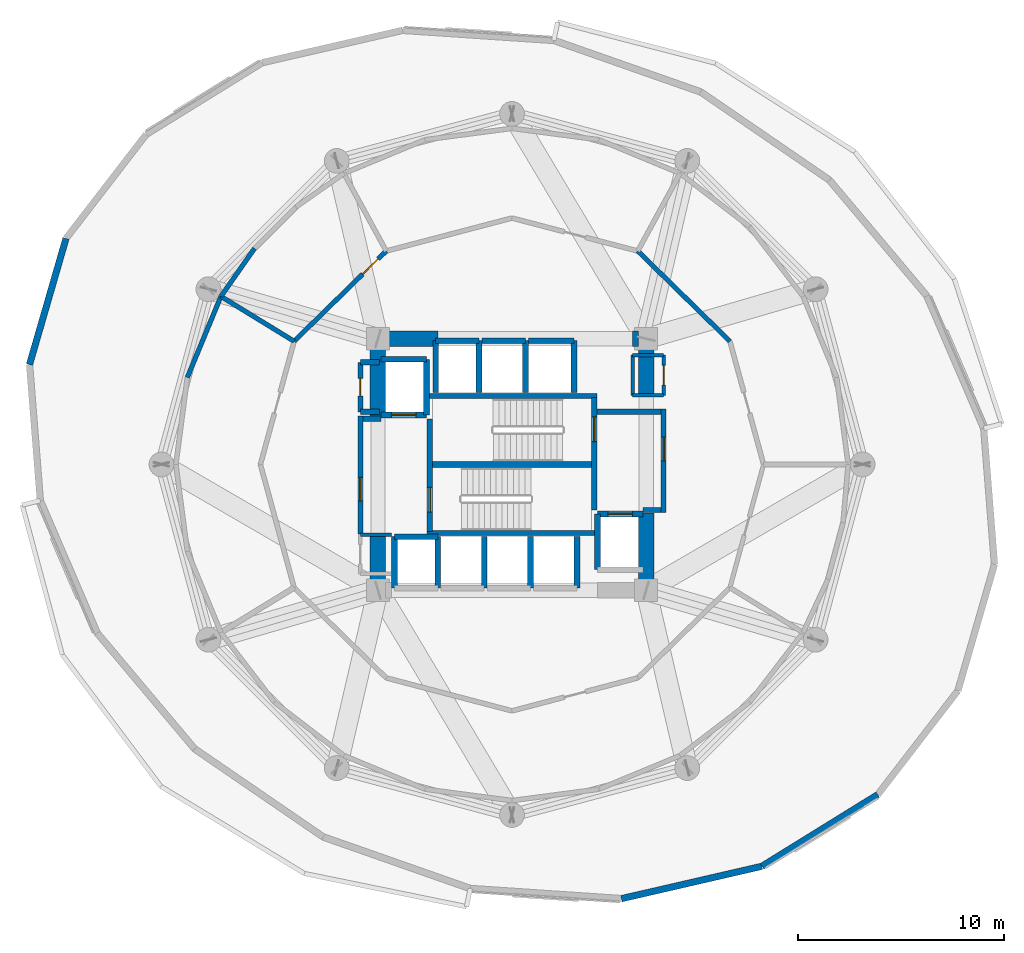
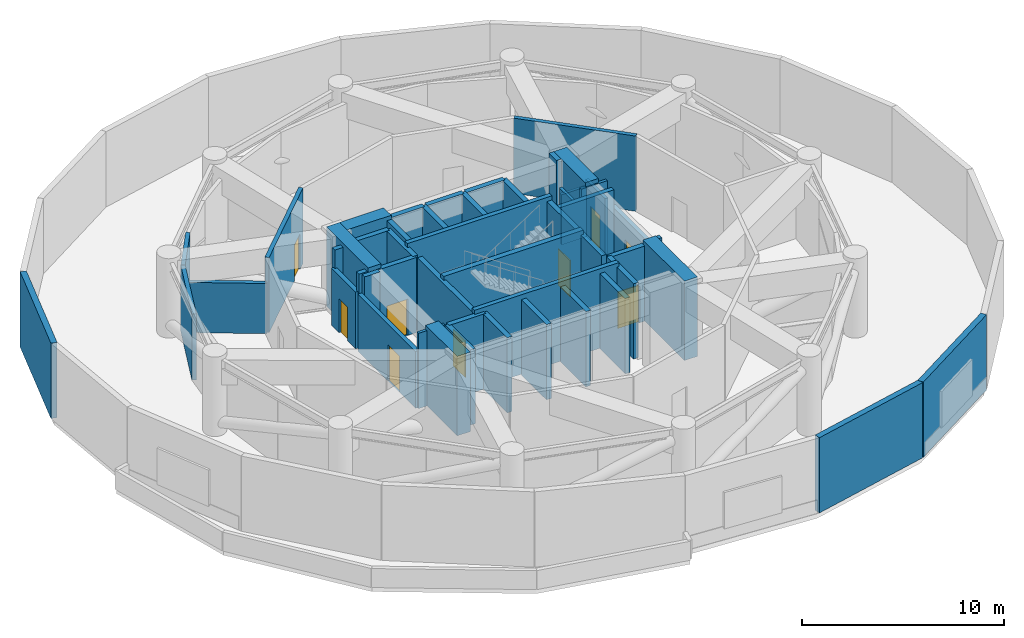
# One storey, part 3 of 6: 50 walls, 9 doors, 9 openings.
"""IFC4 building model written with IfcOpenShell, lengths in metres."""

from ifc_helpers import new_model, si_unit, direction, frame, frame_2d, origin, place, context, subcontext, project, spatial, rectangle, extrude, material, layer, layer_set, type_object, element, fill, save


model = new_model("IFC4")

# Units and contexts
model_context = context("Model", 3, precision=1e-05, world=origin(), true_north=direction((0.0, 1.0)))
body_context = subcontext(model_context, "Body", "Model", "MODEL_VIEW")
ifc_project = project(units=[si_unit("LENGTHUNIT", "METRE"), si_unit("AREAUNIT", "SQUARE_METRE"), si_unit("VOLUMEUNIT", "CUBIC_METRE"), si_unit("PLANEANGLEUNIT", "RADIAN"), si_unit("MASSUNIT", "GRAM", prefix="KILO")], contexts=[model_context])

# Site, building, storey
site_placement = place(None, origin())
site = spatial("IfcSite", under=ifc_project, at=site_placement, CompositionType="ELEMENT")
building_placement = place(site_placement, origin())
building = spatial("IfcBuilding", under=site, at=building_placement, Name="Solvirekh Grand Hotel", CompositionType="ELEMENT")
storey_placement = place(building_placement, frame((0.0, 0.0, 93.199951171875)))
storey = spatial("IfcBuildingStorey", under=building, at=storey_placement, Name="L23", CompositionType="ELEMENT", Elevation=93.199951171875)

# Walls
ifc_material_1 = material(Name="Concrete C50/60", Category="concrete")
ifc_layer_1 = layer(ifc_material_1, 0.35009765625)
ifc_layer_set_1 = layer_set([ifc_layer_1], Name="Concrete C50/60")
wall_type_1 = type_object("IfcWallType", Name="CoreDivWall_RC350", PredefinedType="SOLIDWALL", material=ifc_layer_set_1)
for number, where, z_axis, x_axis, name in (
    (1, (-4.1298828125, -3.324951171875, 0.0), (0.0, 0.0, 1.0), (1.0, 0.0, 0.0), "L23 core stair box wall ST-S"),
    (2, (-4.1298828125, 3.324951171875, 0.0), (0.0, 0.0, 1.0), (1.0, 0.0, 0.0), "L23 core stair box wall ST-N"),
):
    element("IfcWall", number, at=place(storey_placement, frame(where, z_axis=z_axis, x_axis=x_axis)), inside=storey, type_object=wall_type_1, Name=name, PredefinedType="SOLIDWALL", context=body_context, shape_type="SweptSolid", body=[
        extrude(rectangle(XDim=8.259765625, YDim=0.25, at=frame_2d((4.1298828125, 0.0))), origin(), (0.0, 0.0, 1.0), 4.800048828125),
    ])
ifc_material_2 = material(Name="Concrete C40/50", Category="concrete")
ifc_layer_2 = layer(ifc_material_2, 0.280029296875)
ifc_layer_set_2 = layer_set([ifc_layer_2], Name="Concrete C40/50")
wall_type_2 = type_object("IfcWallType", Name="CoreShaftWall_RC280", PredefinedType="SOLIDWALL", material=ifc_layer_set_2)
wall_1_placement = place(storey_placement, frame((-3.60009765625, -3.5, 0.0), z_axis=(0.0, 0.0, 1.0), x_axis=(-1.0, 0.0, 0.0)))
element("IfcWall", 3, at=wall_1_placement, inside=storey, type_object=wall_type_2, Name="L23 LP-1 hoistway N wall", PredefinedType="SOLIDWALL", context=body_context, shape_type="SweptSolid", body=[
    extrude(rectangle(XDim=2.099853515625, YDim=0.280029296875, at=frame_2d((1.0498046875, 0.0))), origin(), (0.0, 0.0, 1.0), 4.550048828125),
])
for number, where, z_axis, x_axis, name in (
    (4, (-5.699951171875, -3.5, 0.0), (0.0, 0.0, 1.0), (0.0, -1.0, 0.0), "L23 LP-1 hoistway W wall"),
    (5, (-3.60009765625, -6.0, 0.0), (0.0, 0.0, 1.0), (0.0, 1.0, 0.0), "L23 LP-1 hoistway E wall"),
    (6, (-1.35009765625, -6.0, 0.0), (0.0, 0.0, 1.0), (0.0, 1.0, 0.0), "L23 LP-2 hoistway E wall"),
    (7, (0.89990234375, -6.0, 0.0), (0.0, 0.0, 1.0), (0.0, 1.0, 0.0), "L23 MP-1 hoistway E wall"),
    (8, (3.14990234375, -6.0, 0.0), (0.0, 0.0, 1.0), (0.0, 1.0, 0.0), "L23 MP-2 hoistway E wall"),
):
    element("IfcWall", number, at=place(storey_placement, frame(where, z_axis=z_axis, x_axis=x_axis)), inside=storey, type_object=wall_type_2, Name=name, PredefinedType="SOLIDWALL", context=body_context, shape_type="SweptSolid", body=[
        extrude(rectangle(XDim=2.5, YDim=0.280029296875, at=frame_2d((1.25, 0.0))), origin(), (0.0, 0.0, 1.0), 4.550048828125),
    ])
wall_2_placement = place(storey_placement, frame((-1.60009765625, 6.0, 0.0), z_axis=(0.0, 0.0, 1.0), x_axis=(-1.0, 0.0, 0.0)))
element("IfcWall", 9, at=wall_2_placement, inside=storey, type_object=wall_type_2, Name="L23 HP-1 hoistway N wall", PredefinedType="SOLIDWALL", context=body_context, shape_type="SweptSolid", body=[
    extrude(rectangle(XDim=2.099853515625, YDim=0.280029296875, at=frame_2d((1.0498046875, 0.0))), origin(), (0.0, 0.0, 1.0), 4.550048828125),
])
for number, where, z_axis, x_axis, name in (
    (10, (-3.699951171875, 6.0, 0.0), (0.0, 0.0, 1.0), (0.0, -1.0, 0.0), "L23 HP-1 hoistway W wall"),
    (11, (-1.60009765625, 3.5, 0.0), (0.0, 0.0, 1.0), (0.0, 1.0, 0.0), "L23 HP-1 hoistway E wall"),
):
    element("IfcWall", number, at=place(storey_placement, frame(where, z_axis=z_axis, x_axis=x_axis)), inside=storey, type_object=wall_type_2, Name=name, PredefinedType="SOLIDWALL", context=body_context, shape_type="SweptSolid", body=[
        extrude(rectangle(XDim=2.5, YDim=0.280029296875, at=frame_2d((1.25, 0.0))), origin(), (0.0, 0.0, 1.0), 4.550048828125),
    ])
wall_3_placement = place(storey_placement, frame((0.64990234375, 6.0, 0.0), z_axis=(0.0, 0.0, 1.0), x_axis=(-1.0, 0.0, 0.0)))
element("IfcWall", 12, at=wall_3_placement, inside=storey, type_object=wall_type_2, Name="L23 HP-2 hoistway N wall", PredefinedType="SOLIDWALL", context=body_context, shape_type="SweptSolid", body=[
    extrude(rectangle(XDim=2.099853515625, YDim=0.280029296875, at=frame_2d((1.0498046875, 0.0))), origin(), (0.0, 0.0, 1.0), 4.550048828125),
])
wall_4_placement = place(storey_placement, frame((0.64990234375, 3.5, 0.0), z_axis=(0.0, 0.0, 1.0), x_axis=(0.0, 1.0, 0.0)))
element("IfcWall", 13, at=wall_4_placement, inside=storey, type_object=wall_type_2, Name="L23 HP-2 hoistway E wall", PredefinedType="SOLIDWALL", context=body_context, shape_type="SweptSolid", body=[
    extrude(rectangle(XDim=2.5, YDim=0.280029296875, at=frame_2d((1.25, 0.0))), origin(), (0.0, 0.0, 1.0), 4.550048828125),
])
wall_5_placement = place(storey_placement, frame((3.0, 6.0, 0.0), z_axis=(0.0, 0.0, 1.0), x_axis=(-1.0, 0.0, 0.0)))
element("IfcWall", 14, at=wall_5_placement, inside=storey, type_object=wall_type_2, Name="L23 EX-1 hoistway N wall", PredefinedType="SOLIDWALL", context=body_context, shape_type="SweptSolid", body=[
    extrude(rectangle(XDim=2.199951171875, YDim=0.280029296875, at=frame_2d((1.10009765625, 0.0))), origin(), (0.0, 0.0, 1.0), 4.550048828125),
])
wall_6_placement = place(storey_placement, frame((3.0, 3.5, 0.0), z_axis=(0.0, 0.0, 1.0), x_axis=(0.0, 1.0, 0.0)))
element("IfcWall", 15, at=wall_6_placement, inside=storey, type_object=wall_type_2, Name="L23 EX-1 hoistway E wall", PredefinedType="SOLIDWALL", context=body_context, shape_type="SweptSolid", body=[
    extrude(rectangle(XDim=2.5, YDim=0.280029296875, at=frame_2d((1.25, 0.0))), origin(), (0.0, 0.0, 1.0), 4.550048828125),
])

# Wall, opening, door
wall_7_placement = place(storey_placement, frame((-6.35009765625, 2.39990234375, 0.0), z_axis=(0.0, 0.0, 1.0), x_axis=(1.0, 0.0, 0.0)))
wall_7 = element("IfcWall", 16, at=wall_7_placement, inside=storey, type_object=wall_type_2, Name="L23 FL-1 hoistway S wall", PredefinedType="SOLIDWALL", context=body_context, shape_type="SweptSolid", body=[
    extrude(rectangle(XDim=2.2001953125, YDim=0.280029296875, at=frame_2d((1.10009765625, 0.0))), origin(), (0.0, 0.0, 1.0), 4.550048828125),
])
opening_1_placement = place(wall_7_placement, frame((0.5, 0.0, 0.0)))
opening_1 = element("IfcOpeningElement", 17, at=opening_1_placement, cuts=wall_7, Name="Opening LD02", PredefinedType="OPENING", context=body_context, shape_type="SweptSolid", body=[
    extrude(rectangle(XDim=1.199951171875, YDim=2.199951171875, at=frame_2d((0.60009765625, 1.10009765625))), frame((0.0, 0.14990234375, 0.0), z_axis=(0.0, -1.0, 0.0), x_axis=(1.0, 0.0, 0.0)), (0.0, 0.0, 1.0), 0.300048828125),
])
ifc_material_3 = material(Name="Fire-Rated Steel Door Assembly", Category="steel")
door_type_1 = type_object("IfcDoorType", Name="Door_LiftFF_1200X2200", OperationType="SLIDING_TO_LEFT", PredefinedType="DOOR", material=ifc_material_3)
door_1_placement = place(opening_1_placement, origin())
door_1 = element("IfcDoor", 18, at=door_1_placement, inside=storey, type_object=door_type_1, Name="L23 FL-1 sliding lift landing door", OperationType="SLIDING_TO_LEFT", OverallHeight=2.199951171875, OverallWidth=1.199951171875, PredefinedType="DOOR", context=body_context, shape_type="SweptSolid", body=[
    extrude(rectangle(XDim=1.199951171875, YDim=2.199951171875, at=frame_2d((0.60009765625, 1.10009765625))), frame((0.0, 0.02490234375, 0.0), z_axis=(0.0, -1.0, 0.0), x_axis=(1.0, 0.0, 0.0)), (0.0, 0.0, 1.0), 0.050048828125),
])
fill(opening_1, door_1)

# Walls
wall_8_placement = place(storey_placement, frame((-4.14990234375, 5.10009765625, 0.0), z_axis=(0.0, 0.0, 1.0), x_axis=(-1.0, 0.0, 0.0)))
element("IfcWall", 19, at=wall_8_placement, inside=storey, type_object=wall_type_2, Name="L23 FL-1 hoistway N wall", PredefinedType="SOLIDWALL", context=body_context, shape_type="SweptSolid", body=[
    extrude(rectangle(XDim=2.2001953125, YDim=0.280029296875, at=frame_2d((1.10009765625, 0.0))), origin(), (0.0, 0.0, 1.0), 4.550048828125),
])
wall_9_placement = place(storey_placement, frame((-4.14990234375, 2.39990234375, 0.0), z_axis=(0.0, 0.0, 1.0), x_axis=(0.0, 1.0, 0.0)))
element("IfcWall", 20, at=wall_9_placement, inside=storey, type_object=wall_type_2, Name="L23 FL-1 hoistway E wall", PredefinedType="SOLIDWALL", context=body_context, shape_type="SweptSolid", body=[
    extrude(rectangle(XDim=2.7001953125, YDim=0.280029296875, at=frame_2d((1.35009765625, 0.0))), origin(), (0.0, 0.0, 1.0), 4.550048828125),
])

# Wall, opening, door
wall_10_placement = place(storey_placement, frame((6.35009765625, -2.39990234375, 0.0), z_axis=(0.0, 0.0, 1.0), x_axis=(-1.0, 0.0, 0.0)))
wall_10 = element("IfcWall", 21, at=wall_10_placement, inside=storey, type_object=wall_type_2, Name="L23 FL-2 hoistway N wall", PredefinedType="SOLIDWALL", context=body_context, shape_type="SweptSolid", body=[
    extrude(rectangle(XDim=2.2001953125, YDim=0.280029296875, at=frame_2d((1.10009765625, 0.0))), origin(), (0.0, 0.0, 1.0), 4.550048828125),
])
opening_2_placement = place(wall_10_placement, frame((0.5, 0.0, 0.0)))
opening_2 = element("IfcOpeningElement", 22, at=opening_2_placement, cuts=wall_10, Name="Opening LD02", PredefinedType="OPENING", context=body_context, shape_type="SweptSolid", body=[
    extrude(rectangle(XDim=1.199951171875, YDim=2.199951171875, at=frame_2d((0.60009765625, 1.10009765625))), frame((0.0, 0.14990234375, 0.0), z_axis=(0.0, -1.0, 0.0), x_axis=(1.0, 0.0, 0.0)), (0.0, 0.0, 1.0), 0.300048828125),
])
door_2_placement = place(opening_2_placement, origin())
door_2 = element("IfcDoor", 23, at=door_2_placement, inside=storey, type_object=door_type_1, Name="L23 FL-2 sliding lift landing door", OperationType="SLIDING_TO_LEFT", OverallHeight=2.199951171875, OverallWidth=1.199951171875, PredefinedType="DOOR", context=body_context, shape_type="SweptSolid", body=[
    extrude(rectangle(XDim=1.199951171875, YDim=2.199951171875, at=frame_2d((0.60009765625, 1.10009765625))), frame((0.0, 0.02490234375, 0.0), z_axis=(0.0, -1.0, 0.0), x_axis=(1.0, 0.0, 0.0)), (0.0, 0.0, 1.0), 0.050048828125),
])
fill(opening_2, door_2)

# Wall
wall_11_placement = place(storey_placement, frame((4.14990234375, -2.39990234375, 0.0), z_axis=(0.0, 0.0, 1.0), x_axis=(0.0, -1.0, 0.0)))
element("IfcWall", 24, at=wall_11_placement, inside=storey, type_object=wall_type_2, Name="L23 FL-2 hoistway W wall", PredefinedType="SOLIDWALL", context=body_context, shape_type="SweptSolid", body=[
    extrude(rectangle(XDim=2.7001953125, YDim=0.280029296875, at=frame_2d((1.35009765625, 0.0))), origin(), (0.0, 0.0, 1.0), 4.550048828125),
])

# Wall, opening, door
wall_12_placement = place(storey_placement, frame((-3.989990234375, -3.25, 0.0), z_axis=(0.0, 0.0, 1.0), x_axis=(0.0, 1.0, 0.0)))
wall_12 = element("IfcWall", 25, at=wall_12_placement, inside=storey, type_object=wall_type_2, Name="L23 west stair landing enclosure wall", PredefinedType="SOLIDWALL", context=body_context, shape_type="SweptSolid", body=[
    extrude(rectangle(XDim=5.4599609375, YDim=0.280029296875, at=frame_2d((2.72998046875, 0.0))), origin(), (0.0, 0.0, 1.0), 4.550048828125),
])
opening_3_placement = place(wall_12_placement, frame((0.93701171875, 0.0, 0.0)))
opening_3 = element("IfcOpeningElement", 26, at=opening_3_placement, cuts=wall_12, Name="Opening D05", PredefinedType="OPENING", context=body_context, shape_type="SweptSolid", body=[
    extrude(rectangle(XDim=1.199951171875, YDim=2.199951171875, at=frame_2d((0.60009765625, 1.10009765625))), frame((0.0, 0.14990234375, 0.0), z_axis=(0.0, -1.0, 0.0), x_axis=(1.0, 0.0, 0.0)), (0.0, 0.0, 1.0), 0.300048828125),
])
door_type_2 = type_object("IfcDoorType", Name="Door_StairCore_1200X2200", OperationType="NOTDEFINED", PredefinedType="DOOR", material=ifc_material_3)
door_3_placement = place(opening_3_placement, origin())
door_3 = element("IfcDoor", 27, at=door_3_placement, inside=storey, type_object=door_type_2, Name="L23 exit stair ST-1 fire door", OperationType="SINGLE_SWING_RIGHT", OverallHeight=2.199951171875, OverallWidth=1.199951171875, PredefinedType="DOOR", context=body_context, shape_type="SweptSolid", body=[
    extrude(rectangle(XDim=1.199951171875, YDim=2.199951171875, at=frame_2d((0.60009765625, 1.10009765625))), frame((0.0, 0.02490234375, 0.0), z_axis=(0.0, -1.0, 0.0), x_axis=(1.0, 0.0, 0.0)), (0.0, 0.0, 1.0), 0.050048828125),
])
fill(opening_3, door_3)

wall_13_placement = place(storey_placement, frame((3.989990234375, -2.2099609375, 0.0), z_axis=(0.0, 0.0, 1.0), x_axis=(0.0, 1.0, 0.0)))
wall_13 = element("IfcWall", 28, at=wall_13_placement, inside=storey, type_object=wall_type_2, Name="L23 east stair landing enclosure wall", PredefinedType="SOLIDWALL", context=body_context, shape_type="SweptSolid", body=[
    extrude(rectangle(XDim=5.4599609375, YDim=0.280029296875, at=frame_2d((2.72998046875, 0.0))), origin(), (0.0, 0.0, 1.0), 4.550048828125),
])
opening_4_placement = place(wall_13_placement, frame((3.322998046875, 0.0, 0.0)))
opening_4 = element("IfcOpeningElement", 29, at=opening_4_placement, cuts=wall_13, Name="Opening D05", PredefinedType="OPENING", context=body_context, shape_type="SweptSolid", body=[
    extrude(rectangle(XDim=1.199951171875, YDim=2.199951171875, at=frame_2d((0.60009765625, 1.10009765625))), frame((0.0, 0.14990234375, 0.0), z_axis=(0.0, -1.0, 0.0), x_axis=(1.0, 0.0, 0.0)), (0.0, 0.0, 1.0), 0.300048828125),
])
door_4_placement = place(opening_4_placement, origin())
door_4 = element("IfcDoor", 30, at=door_4_placement, inside=storey, type_object=door_type_2, Name="L23 exit stair ST-2 fire door", OperationType="SINGLE_SWING_LEFT", OverallHeight=2.199951171875, OverallWidth=1.199951171875, PredefinedType="DOOR", context=body_context, shape_type="SweptSolid", body=[
    extrude(rectangle(XDim=1.199951171875, YDim=2.199951171875, at=frame_2d((0.60009765625, 1.10009765625))), frame((0.0, 0.02490234375, 0.0), z_axis=(0.0, -1.0, 0.0), x_axis=(1.0, 0.0, 0.0)), (0.0, 0.0, 1.0), 0.050048828125),
])
fill(opening_4, door_4)

# Walls
ifc_material_4 = material(Name="Concrete C60/75", Category="concrete")
ifc_layer_3 = layer(ifc_material_4, 0.75)
ifc_layer_set_3 = layer_set([ifc_layer_3], Name="Concrete C60/75")
wall_type_3 = type_object("IfcWallType", Name="CoreWall_RC750", PredefinedType="SHEAR", material=ifc_layer_set_3)
wall_14_placement = place(storey_placement, frame((-3.989990234375, 0.0, 0.0), z_axis=(0.0, 0.0, 1.0), x_axis=(1.0, 0.0, 0.0)))
element("IfcWall", 31, at=wall_14_placement, inside=storey, type_object=wall_type_3, Name="L23 central stair-spine shear wall", PredefinedType="SHEAR", context=body_context, shape_type="SweptSolid", body=[
    extrude(rectangle(XDim=7.97998046875, YDim=0.300048828125, at=frame_2d((3.989990234375, 0.0))), origin(), (0.0, 0.0, 1.0), 4.800048828125),
])
wall_15_placement = place(storey_placement, frame((-6.125, 6.10009765625, 0.0), z_axis=(0.0, 0.0, 1.0), x_axis=(1.0, 0.0, 0.0)))
element("IfcWall", 32, at=wall_15_placement, inside=storey, type_object=wall_type_3, Name="L23 core corner shear wall NW-N", PredefinedType="SHEAR", context=body_context, shape_type="SweptSolid", body=[
    extrude(rectangle(XDim=2.52490234375, YDim=0.75, at=frame_2d((1.262451171875, 0.0))), origin(), (0.0, 0.0, 1.0), 4.800048828125),
])
wall_16_placement = place(storey_placement, frame((5.85009765625, 6.10009765625, 0.0), z_axis=(0.0, 0.0, 1.0), x_axis=(1.0, 0.0, 0.0)))
element("IfcWall", 33, at=wall_16_placement, inside=storey, type_object=wall_type_3, Name="L23 core corner shear wall NE-N", PredefinedType="SHEAR", context=body_context, shape_type="SweptSolid", body=[
    extrude(rectangle(XDim=0.27490234375, YDim=0.75, at=frame_2d((0.137451171875, 0.0))), origin(), (0.0, 0.0, 1.0), 4.800048828125),
])
wall_17_placement = place(storey_placement, frame((-6.5, 2.35009765625, 0.0), z_axis=(0.0, 0.0, 1.0), x_axis=(0.0, 1.0, 0.0)))
element("IfcWall", 34, at=wall_17_placement, inside=storey, type_object=wall_type_3, Name="L23 core corner shear wall WN-W", PredefinedType="SHEAR", context=body_context, shape_type="SweptSolid", body=[
    extrude(rectangle(XDim=4.125, YDim=0.75, at=frame_2d((2.0625, 0.0))), origin(), (0.0, 0.0, 1.0), 4.800048828125),
])
wall_18_placement = place(storey_placement, frame((-6.5, -6.47509765625, 0.0), z_axis=(0.0, 0.0, 1.0), x_axis=(0.0, 1.0, 0.0)))
element("IfcWall", 35, at=wall_18_placement, inside=storey, type_object=wall_type_3, Name="L23 core corner shear wall WS-W", PredefinedType="SHEAR", context=body_context, shape_type="SweptSolid", body=[
    extrude(rectangle(XDim=3.125, YDim=0.75, at=frame_2d((1.5625, 0.0))), origin(), (0.0, 0.0, 1.0), 4.800048828125),
])
wall_19_placement = place(storey_placement, frame((6.5, -6.47509765625, 0.0), z_axis=(0.0, 0.0, 1.0), x_axis=(0.0, 1.0, 0.0)))
element("IfcWall", 36, at=wall_19_placement, inside=storey, type_object=wall_type_3, Name="L23 core corner shear wall ES-E", PredefinedType="SHEAR", context=body_context, shape_type="SweptSolid", body=[
    extrude(rectangle(XDim=4.125, YDim=0.75, at=frame_2d((2.0625, 0.0))), origin(), (0.0, 0.0, 1.0), 4.800048828125),
])
wall_20_placement = place(storey_placement, frame((6.5, 3.35009765625, 0.0), z_axis=(0.0, 0.0, 1.0), x_axis=(0.0, 1.0, 0.0)))
element("IfcWall", 37, at=wall_20_placement, inside=storey, type_object=wall_type_3, Name="L23 core corner shear wall EN-E", PredefinedType="SHEAR", context=body_context, shape_type="SweptSolid", body=[
    extrude(rectangle(XDim=3.125, YDim=0.75, at=frame_2d((1.5625, 0.0))), origin(), (0.0, 0.0, 1.0), 4.800048828125),
])
ifc_material_5 = material(Name="Precast concrete C45/55", Category="concrete")
ifc_layer_4 = layer(ifc_material_5, 0.320068359375)
ifc_layer_set_4 = layer_set([ifc_layer_4], Name="Precast concrete C45/55")
wall_type_4 = type_object("IfcWallType", Name="ExtLobbyWall_RC320", PredefinedType="SOLIDWALL", material=ifc_layer_set_4)
wall_21_placement = place(storey_placement, frame((-23.39990234375, 4.845947265625, 0.0), z_axis=(0.0, 0.0, 1.0), x_axis=(0.277909152838, 0.960607361396, 0.0)))
element("IfcWall", 38, at=wall_21_placement, inside=storey, type_object=wall_type_4, Name="L23 exterior structural wall chord 11", PredefinedType="SOLIDWALL", context=body_context, shape_type="SweptSolid", body=[
    extrude(rectangle(XDim=6.369140625, YDim=0.320068359375, at=frame_2d((3.1845703125, 0.0))), origin(), (0.0, 0.0, 1.0), 4.550048828125),
])
wall_22_placement = place(storey_placement, frame((12.117919921875, -19.487060546875, 0.0), z_axis=(0.0, 0.0, 1.0), x_axis=(-0.974452383639, -0.224594194093, 0.0)))
element("IfcWall", 39, at=wall_22_placement, inside=storey, type_object=wall_type_4, Name="L23 exterior structural wall chord 18", PredefinedType="SOLIDWALL", context=body_context, shape_type="SweptSolid", body=[
    extrude(rectangle(XDim=6.989501953125, YDim=0.320068359375, at=frame_2d((3.49462890625, 0.0))), origin(), (0.0, 0.0, 1.0), 4.550048828125),
])
wall_23_placement = place(storey_placement, frame((17.741943359375, -16.009033203125, 0.0), z_axis=(0.0, 0.0, 1.0), x_axis=(-0.850502683373, -0.525970707906, 0.0)))
element("IfcWall", 40, at=wall_23_placement, inside=storey, type_object=wall_type_4, Name="L23 exterior structural wall chord 19", PredefinedType="SOLIDWALL", context=body_context, shape_type="SweptSolid", body=[
    extrude(rectangle(XDim=6.612548828125, YDim=0.320068359375, at=frame_2d((3.30615234375, 0.0))), origin(), (0.0, 0.0, 1.0), 4.550048828125),
])
ifc_material_6 = material(Name="Acoustic Gypsum Partition Assembly")
ifc_layer_5 = layer(ifc_material_6, 0.1650390625)
ifc_layer_set_5 = layer_set([ifc_layer_5], Name="Acoustic Gypsum Partition Assembly")
wall_type_5 = type_object("IfcWallType", Name="Part_BOH_165", PredefinedType="PARTITIONING", material=ifc_layer_set_5)
for number, where, z_axis, x_axis, name in (
    (41, (-5.85009765625, -3.39990234375, 0.0), (0.0, 0.0, 1.0), (-1.0, 0.0, 0.0), "L23 L23 Butler Service Closet wall 3"),
    (42, (5.85009765625, 3.35009765625, 0.0), (0.0, 0.0, 1.0), (1.0, 0.0, 0.0), "L23 L23 Core Housekeeping Room wall 1"),
):
    element("IfcWall", number, at=place(storey_placement, frame(where, z_axis=z_axis, x_axis=x_axis)), inside=storey, type_object=wall_type_5, Name=name, PredefinedType="PARTITIONING", context=body_context, shape_type="SweptSolid", body=[
        extrude(rectangle(XDim=1.5, YDim=0.1650390625, at=frame_2d((0.75, 0.0))), origin(), (0.0, 0.0, 1.0), 4.550048828125),
    ])

# Wall, opening, door
wall_24_placement = place(storey_placement, frame((7.35009765625, 3.35009765625, 0.0), z_axis=(0.0, 0.0, 1.0), x_axis=(0.0, 1.0, 0.0)))
wall_24 = element("IfcWall", 43, at=wall_24_placement, inside=storey, type_object=wall_type_5, Name="L23 L23 Core Housekeeping Room wall 2", PredefinedType="PARTITIONING", context=body_context, shape_type="SweptSolid", body=[
    extrude(rectangle(XDim=1.949951171875, YDim=0.1650390625, at=frame_2d((0.97509765625, 0.0))), origin(), (0.0, 0.0, 1.0), 3.43505859375),
])
opening_5_placement = place(wall_24_placement, frame((0.5, 0.0, 0.0)))
opening_5 = element("IfcOpeningElement", 44, at=opening_5_placement, cuts=wall_24, Name="Opening D10", PredefinedType="OPENING", context=body_context, shape_type="SweptSolid", body=[
    extrude(rectangle(XDim=0.949951171875, YDim=2.10009765625, at=frame_2d((0.47509765625, 1.050048828125))), frame((0.0, 0.092529296875, 0.0), z_axis=(0.0, -1.0, 0.0), x_axis=(1.0, 0.0, 0.0)), (0.0, 0.0, 1.0), 0.18505859375),
])
ifc_material_7 = material(Name="Anodized Bronze Aluminium 6063-T6", Category="aluminium")
door_type_3 = type_object("IfcDoorType", Name="Door_RoomInt_950X2100", OperationType="NOTDEFINED", PredefinedType="DOOR", material=ifc_material_7)
door_5_placement = place(opening_5_placement, origin())
door_5 = element("IfcDoor", 45, at=door_5_placement, inside=storey, type_object=door_type_3, Name="L23 L23 Core Housekeeping Room door", OperationType="SINGLE_SWING_RIGHT", OverallHeight=2.10009765625, OverallWidth=0.949951171875, PredefinedType="DOOR", context=body_context, shape_type="SweptSolid", body=[
    extrude(rectangle(XDim=0.949951171875, YDim=2.10009765625, at=frame_2d((0.47509765625, 1.050048828125))), frame((0.0, 0.02490234375, 0.0), z_axis=(0.0, -1.0, 0.0), x_axis=(1.0, 0.0, 0.0)), (0.0, 0.0, 1.0), 0.050048828125),
])
fill(opening_5, door_5)

# Walls
wall_25_placement = place(storey_placement, frame((7.35009765625, 5.300048828125, 0.0), z_axis=(0.0, 0.0, 1.0), x_axis=(-1.0, 0.0, 0.0)))
element("IfcWall", 46, at=wall_25_placement, inside=storey, type_object=wall_type_5, Name="L23 L23 Core Housekeeping Room wall 3", PredefinedType="PARTITIONING", context=body_context, shape_type="SweptSolid", body=[
    extrude(rectangle(XDim=1.5, YDim=0.1650390625, at=frame_2d((0.75, 0.0))), origin(), (0.0, 0.0, 1.0), 3.03515625),
])
wall_26_placement = place(storey_placement, frame((5.85009765625, 5.300048828125, 0.0), z_axis=(0.0, 0.0, 1.0), x_axis=(0.0, -1.0, 0.0)))
element("IfcWall", 47, at=wall_26_placement, inside=storey, type_object=wall_type_5, Name="L23 L23 Core Housekeeping Room wall 4", PredefinedType="PARTITIONING", context=body_context, shape_type="SweptSolid", body=[
    extrude(rectangle(XDim=1.949951171875, YDim=0.1650390625, at=frame_2d((0.97509765625, 0.0))), origin(), (0.0, 0.0, 1.0), 3.43505859375),
])

# Wall, opening, door
ifc_layer_6 = layer(ifc_material_6, 0.239990234375)
ifc_layer_set_6 = layer_set([ifc_layer_6], Name="Acoustic Gypsum Partition Assembly")
wall_type_6 = type_object("IfcWallType", Name="Part_Corridor_240", PredefinedType="PARTITIONING", material=ifc_layer_set_6)
wall_27_placement = place(storey_placement, frame((-7.35009765625, -3.3798828125, 0.0), z_axis=(0.0, 0.0, 1.0), x_axis=(0.0, 1.0, 0.0)))
wall_27 = element("IfcWall", 48, at=wall_27_placement, inside=storey, type_object=wall_type_6, Name="L23 west firefighting lobby smoke screen wall", PredefinedType="PARTITIONING", context=body_context, shape_type="SweptSolid", body=[
    extrude(rectangle(XDim=5.719970703125, YDim=0.239990234375, at=frame_2d((2.85986328125, 0.0))), origin(), (0.0, 0.0, 1.0), 3.43505859375),
])
opening_6_placement = place(wall_27_placement, frame((1.59912109375, 0.0, 0.0)))
opening_6 = element("IfcOpeningElement", 49, at=opening_6_placement, cuts=wall_27, Name="Opening D06", PredefinedType="OPENING", context=body_context, shape_type="SweptSolid", body=[
    extrude(rectangle(XDim=1.14990234375, YDim=2.199951171875, at=frame_2d((0.574951171875, 1.10009765625))), frame((0.0, 0.1298828125, 0.0), z_axis=(0.0, -1.0, 0.0), x_axis=(1.0, 0.0, 0.0)), (0.0, 0.0, 1.0), 0.260009765625),
])
door_type_4 = type_object("IfcDoorType", Name="Door_FFLobby_1150X2200", OperationType="NOTDEFINED", PredefinedType="DOOR", material=ifc_material_3)
door_6_placement = place(opening_6_placement, origin())
door_6 = element("IfcDoor", 50, at=door_6_placement, inside=storey, type_object=door_type_4, Name="L23 west firefighting lobby smoke door", OperationType="SINGLE_SWING_RIGHT", OverallHeight=2.199951171875, OverallWidth=1.14990234375, PredefinedType="DOOR", context=body_context, shape_type="SweptSolid", body=[
    extrude(rectangle(XDim=1.14990234375, YDim=2.199951171875, at=frame_2d((0.574951171875, 1.10009765625))), frame((0.0, 0.02490234375, 0.0), z_axis=(0.0, -1.0, 0.0), x_axis=(1.0, 0.0, 0.0)), (0.0, 0.0, 1.0), 0.050048828125),
])
fill(opening_6, door_6)

wall_28_placement = place(storey_placement, frame((7.35009765625, -2.340087890625, 0.0), z_axis=(0.0, 0.0, 1.0), x_axis=(0.0, 1.0, 0.0)))
wall_28 = element("IfcWall", 51, at=wall_28_placement, inside=storey, type_object=wall_type_6, Name="L23 east firefighting lobby smoke screen wall", PredefinedType="PARTITIONING", context=body_context, shape_type="SweptSolid", body=[
    extrude(rectangle(XDim=5.02001953125, YDim=0.239990234375, at=frame_2d((2.510009765625, 0.0))), origin(), (0.0, 0.0, 1.0), 3.43505859375),
])
opening_7_placement = place(wall_28_placement, frame((2.514892578125, 0.0, 0.0)))
opening_7 = element("IfcOpeningElement", 52, at=opening_7_placement, cuts=wall_28, Name="Opening D06", PredefinedType="OPENING", context=body_context, shape_type="SweptSolid", body=[
    extrude(rectangle(XDim=1.14990234375, YDim=2.199951171875, at=frame_2d((0.574951171875, 1.10009765625))), frame((0.0, 0.1298828125, 0.0), z_axis=(0.0, -1.0, 0.0), x_axis=(1.0, 0.0, 0.0)), (0.0, 0.0, 1.0), 0.260009765625),
])
door_7_placement = place(opening_7_placement, origin())
door_7 = element("IfcDoor", 53, at=door_7_placement, inside=storey, type_object=door_type_4, Name="L23 east firefighting lobby smoke door", OperationType="SINGLE_SWING_LEFT", OverallHeight=2.199951171875, OverallWidth=1.14990234375, PredefinedType="DOOR", context=body_context, shape_type="SweptSolid", body=[
    extrude(rectangle(XDim=1.14990234375, YDim=2.199951171875, at=frame_2d((0.574951171875, 1.10009765625))), frame((0.0, 0.02490234375, 0.0), z_axis=(0.0, -1.0, 0.0), x_axis=(1.0, 0.0, 0.0)), (0.0, 0.0, 1.0), 0.050048828125),
])
fill(opening_7, door_7)

# Walls
ifc_layer_7 = layer(ifc_material_6, 0.260009765625)
ifc_layer_set_7 = layer_set([ifc_layer_7], Name="Acoustic Gypsum Partition Assembly")
wall_type_7 = type_object("IfcWallType", Name="Part_LobbyFF_260", PredefinedType="PARTITIONING", material=ifc_layer_set_7)
for number, where, z_axis, x_axis, name in (
    (54, (-7.22509765625, 2.2099609375, 0.0), (0.0, 0.0, 1.0), (1.0, 0.0, 0.0), "L23 west firefighting lobby NW cheek"),
    (55, (6.35009765625, -2.2099609375, 0.0), (0.0, 0.0, 1.0), (1.0, 0.0, 0.0), "L23 east firefighting lobby SE cheek"),
):
    element("IfcWall", number, at=place(storey_placement, frame(where, z_axis=z_axis, x_axis=x_axis)), inside=storey, type_object=wall_type_7, Name=name, PredefinedType="PARTITIONING", context=body_context, shape_type="SweptSolid", body=[
        extrude(rectangle(XDim=0.875, YDim=0.260009765625, at=frame_2d((0.4375, 0.0))), origin(), (0.0, 0.0, 1.0), 4.550048828125),
    ])
wall_29_placement = place(storey_placement, frame((4.1298828125, 2.550048828125, 0.0), z_axis=(0.0, 0.0, 1.0), x_axis=(1.0, 0.0, 0.0)))
element("IfcWall", 56, at=wall_29_placement, inside=storey, type_object=wall_type_7, Name="L23 east firefighting lobby north partition", PredefinedType="PARTITIONING", context=body_context, shape_type="SweptSolid", body=[
    extrude(rectangle(XDim=3.09521484375, YDim=0.260009765625, at=frame_2d((1.547607421875, 0.0))), origin(), (0.0, 0.0, 1.0), 4.550048828125),
])
for number, where, z_axis, x_axis, name in (
    (57, (-7.35009765625, 4.949951171875, 0.0), (0.0, 0.0, 1.0), (1.0, 0.0, 0.0), "L23 NW telecom metering cupboard north wall"),
    (58, (-7.35009765625, 2.550048828125, 0.0), (0.0, 0.0, 1.0), (1.0, 0.0, 0.0), "L23 NW telecom metering cupboard south wall"),
):
    element("IfcWall", number, at=place(storey_placement, frame(where, z_axis=z_axis, x_axis=x_axis)), inside=storey, type_object=wall_type_7, Name=name, PredefinedType="PARTITIONING", context=body_context, shape_type="SweptSolid", body=[
        extrude(rectangle(XDim=0.93017578125, YDim=0.260009765625, at=frame_2d((0.465087890625, 0.0))), origin(), (0.0, 0.0, 1.0), 4.550048828125),
    ])

# Wall, opening, door
wall_30_placement = place(storey_placement, frame((-7.35009765625, 2.550048828125, 0.0), z_axis=(0.0, 0.0, 1.0), x_axis=(0.0, 1.0, 0.0)))
wall_30 = element("IfcWall", 59, at=wall_30_placement, inside=storey, type_object=wall_type_7, Name="L23 NW telecom metering cupboard access wall", PredefinedType="PARTITIONING", context=body_context, shape_type="SweptSolid", body=[
    extrude(rectangle(XDim=2.39990234375, YDim=0.260009765625, at=frame_2d((1.199951171875, 0.0))), origin(), (0.0, 0.0, 1.0), 3.43505859375),
])
opening_8_placement = place(wall_30_placement, frame((0.77490234375, 0.0, 0.0)))
opening_8 = element("IfcOpeningElement", 60, at=opening_8_placement, cuts=wall_30, Name="Opening D13", PredefinedType="OPENING", context=body_context, shape_type="SweptSolid", body=[
    extrude(rectangle(XDim=0.85009765625, YDim=2.050048828125, at=frame_2d((0.425048828125, 1.02490234375))), frame((0.0, 0.14013671875, 0.0), z_axis=(0.0, -1.0, 0.0), x_axis=(1.0, 0.0, 0.0)), (0.0, 0.0, 1.0), 0.280029296875),
])
door_type_5 = type_object("IfcDoorType", Name="Door_RiserShaft_850X2050", OperationType="NOTDEFINED", PredefinedType="DOOR", material=ifc_material_3)
door_8_placement = place(opening_8_placement, origin())
door_8 = element("IfcDoor", 61, at=door_8_placement, inside=storey, type_object=door_type_5, Name="L23 telecom metering cupboard access door", OperationType="SINGLE_SWING_RIGHT", OverallHeight=2.050048828125, OverallWidth=0.85009765625, PredefinedType="DOOR", context=body_context, shape_type="SweptSolid", body=[
    extrude(rectangle(XDim=0.85009765625, YDim=2.050048828125, at=frame_2d((0.425048828125, 1.02490234375))), frame((0.0, 0.02490234375, 0.0), z_axis=(0.0, -1.0, 0.0), x_axis=(1.0, 0.0, 0.0)), (0.0, 0.0, 1.0), 0.050048828125),
])
fill(opening_8, door_8)

# Walls
ifc_layer_8 = layer(ifc_material_5, 0.22509765625)
ifc_layer_set_8 = layer_set([ifc_layer_8], Name="Precast concrete C45/55")
wall_type_8 = type_object("IfcWallType", Name="Part_Plant_225", PredefinedType="PARTITIONING", material=ifc_layer_set_8)
wall_31_placement = place(storey_placement, frame((-10.56591796875, 5.97509765625, 0.0), z_axis=(0.0, 0.0, 1.0), x_axis=(-0.852711641588, 0.522381906559, 0.0)))
element("IfcWall", 62, at=wall_31_placement, inside=storey, type_object=wall_type_8, Name="L23 radial demising wall 6", PredefinedType="PARTITIONING", context=body_context, shape_type="SweptSolid", body=[
    extrude(rectangle(XDim=4.163330078125, YDim=0.22509765625, at=frame_2d((2.08154296875, 0.0))), origin(), (0.0, 0.0, 1.0), 3.03515625),
])
wall_32_placement = place(storey_placement, frame((10.56591796875, 5.97509765625, 0.0), z_axis=(0.0, 0.0, 1.0), x_axis=(-0.714411174131, 0.699726142342, 0.0)))
element("IfcWall", 63, at=wall_32_placement, inside=storey, type_object=wall_type_8, Name="L23 East Air-Handling Plant Room corridor wall 2", PredefinedType="PARTITIONING", context=body_context, shape_type="SweptSolid", body=[
    extrude(rectangle(XDim=6.2509765625, YDim=0.22509765625, at=frame_2d((3.12548828125, 0.0))), origin(), (0.0, 0.0, 1.0), 4.550048828125),
])

# Wall, opening, door
wall_33_placement = place(storey_placement, frame((-6.10009765625, 10.34912109375, 0.0), z_axis=(0.0, 0.0, 1.0), x_axis=(-0.714411174131, -0.699726142342, 0.0)))
wall_33 = element("IfcWall", 64, at=wall_33_placement, inside=storey, type_object=wall_type_8, Name="L23 Booster Pump & Smoke-Extract Plant Room corridor wall", PredefinedType="PARTITIONING", context=body_context, shape_type="SweptSolid", body=[
    extrude(rectangle(XDim=6.2509765625, YDim=0.22509765625, at=frame_2d((3.12548828125, 0.0))), origin(), (0.0, 0.0, 1.0), 4.550048828125),
])
opening_9_placement = place(wall_33_placement, frame((0.550048828125, 0.0, 0.0)))
opening_9 = element("IfcOpeningElement", 65, at=opening_9_placement, cuts=wall_33, Name="Opening D12", PredefinedType="OPENING", context=body_context, shape_type="SweptSolid", body=[
    extrude(rectangle(XDim=1.050048828125, YDim=2.14990234375, at=frame_2d((0.52490234375, 1.074951171875))), frame((0.0, 0.12255859375, 0.0), z_axis=(0.0, -1.0, 0.0), x_axis=(1.0, 0.0, 0.0)), (0.0, 0.0, 1.0), 0.2451171875),
])
door_type_6 = type_object("IfcDoorType", Name="Door_PlantBOH_1050X2150", OperationType="NOTDEFINED", PredefinedType="DOOR", material=ifc_material_3)
door_9_placement = place(opening_9_placement, origin())
door_9 = element("IfcDoor", 66, at=door_9_placement, inside=storey, type_object=door_type_6, Name="L23 Booster Pump & Smoke-Extract Plant Room entrance door", OperationType="SINGLE_SWING_LEFT", OverallHeight=2.14990234375, OverallWidth=1.050048828125, PredefinedType="DOOR", context=body_context, shape_type="SweptSolid", body=[
    extrude(rectangle(XDim=1.050048828125, YDim=2.14990234375, at=frame_2d((0.52490234375, 1.074951171875))), frame((0.0, 0.02490234375, 0.0), z_axis=(0.0, -1.0, 0.0), x_axis=(1.0, 0.0, 0.0)), (0.0, 0.0, 1.0), 0.050048828125),
])
fill(opening_9, door_9)

# Walls
wall_34_placement = place(storey_placement, frame((-12.487060546875, 10.47705078125, 0.0), z_axis=(0.0, 0.0, 1.0), x_axis=(-0.57343927108, -0.819248071333, 0.0)))
element("IfcWall", 67, at=wall_34_placement, inside=storey, type_object=wall_type_8, Name="L23 Booster Pump & Smoke-Extract Plant Room perimeter acoustic baffle wall 3", PredefinedType="PARTITIONING", context=body_context, shape_type="SweptSolid", body=[
    extrude(rectangle(XDim=2.840576171875, YDim=0.22509765625, at=frame_2d((1.42041015625, 0.0))), origin(), (0.0, 0.0, 1.0), 4.0029296875),
])
wall_35_placement = place(storey_placement, frame((-14.115966796875, 8.14990234375, 0.0), z_axis=(0.0, 0.0, 1.0), x_axis=(-0.382866948124, -0.92380349644, 0.0)))
element("IfcWall", 68, at=wall_35_placement, inside=storey, type_object=wall_type_8, Name="L23 West Chilled-Water Plant Room perimeter acoustic baffle wall 1", PredefinedType="PARTITIONING", context=body_context, shape_type="SweptSolid", body=[
    extrude(rectangle(XDim=4.255126953125, YDim=0.22509765625, at=frame_2d((2.12744140625, 0.0))), origin(), (0.0, 0.0, 1.0), 4.0029296875),
])

save(model, "model.ifc")
